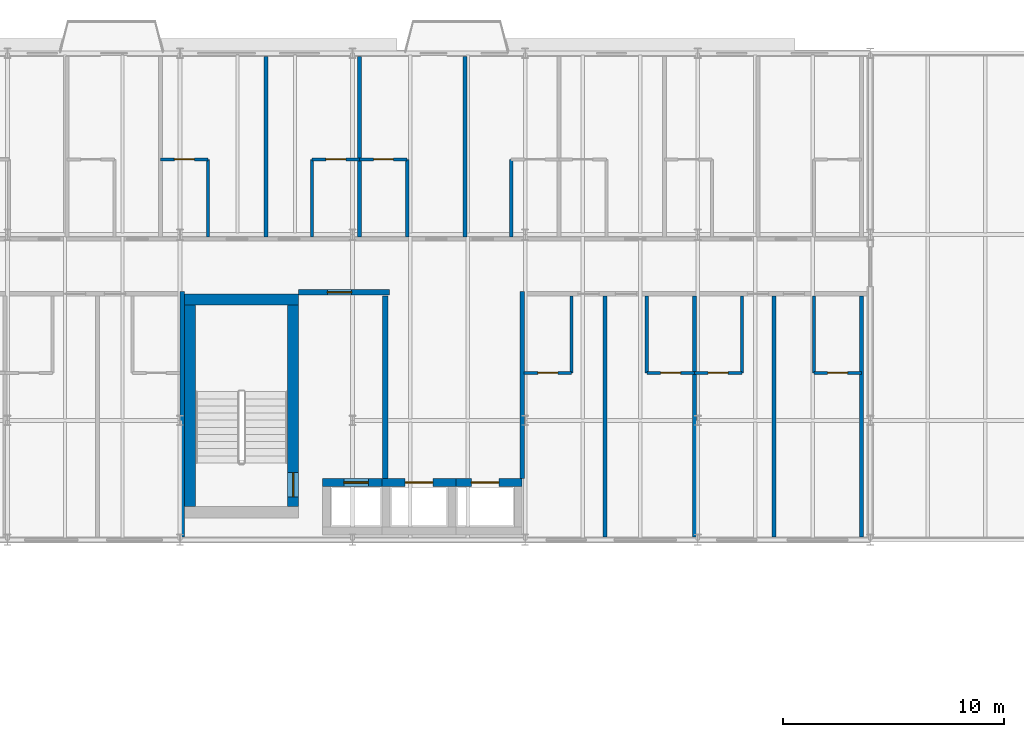
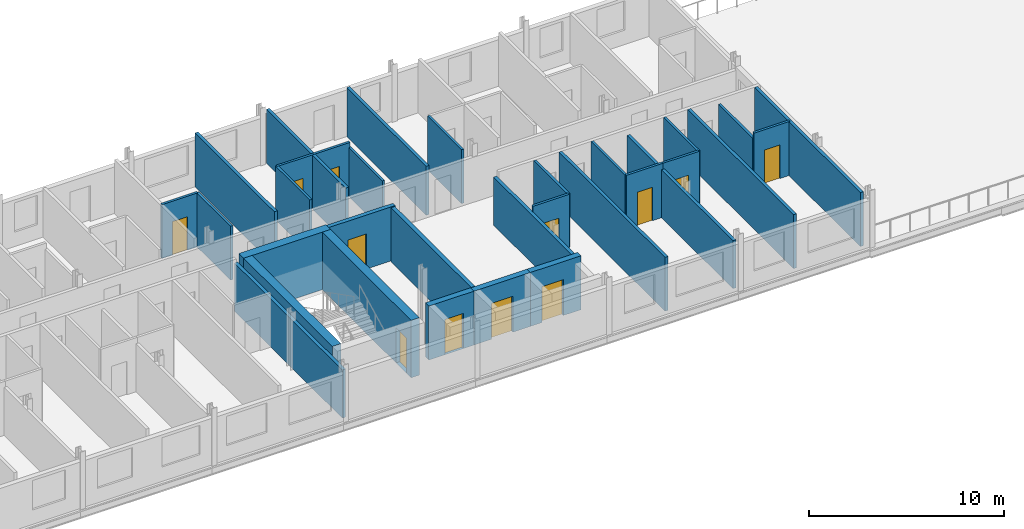
# One storey, part 24 of 30: 32 walls, 12 doors, 12 openings.
"""IFC4 building model written with IfcOpenShell, lengths in metres."""

from ifc_helpers import new_model, si_unit, direction, frame, frame_2d, origin, place, context, subcontext, project, spatial, rectangle, extrude, material, layer, layer_set, type_object, element, fill, save


model = new_model("IFC4")

# Units and contexts
model_context = context("Model", 3, precision=1e-05, world=origin(), true_north=direction((0.0, 1.0)))
body_context = subcontext(model_context, "Body", "Model", "MODEL_VIEW")
ifc_project = project(units=[si_unit("LENGTHUNIT", "METRE"), si_unit("AREAUNIT", "SQUARE_METRE"), si_unit("VOLUMEUNIT", "CUBIC_METRE"), si_unit("PLANEANGLEUNIT", "RADIAN"), si_unit("MASSUNIT", "GRAM", prefix="KILO")], contexts=[model_context])

# Site, building, storey
site_placement = place(None, origin())
site = spatial("IfcSite", under=ifc_project, at=site_placement, CompositionType="ELEMENT")
building_placement = place(site_placement, origin())
building = spatial("IfcBuilding", under=site, at=building_placement, Name="Sefraquen Railside Congress Hotel", CompositionType="ELEMENT")
storey_placement = place(building_placement, frame((0.0, 0.0, 35.39990234375)))
storey = spatial("IfcBuildingStorey", under=building, at=storey_placement, Name="L08", CompositionType="ELEMENT", Elevation=35.39990234375)

# Wall, opening, door
ifc_material_1 = material(Name="Concrete C50/60", Category="concrete")
ifc_layer_1 = layer(ifc_material_1, 0.35009765625)
ifc_layer_set_1 = layer_set([ifc_layer_1], Name="Concrete C50/60")
wall_type_1 = type_object("IfcWallType", Name="TW-CW-350", PredefinedType="SHEAR", material=ifc_layer_set_1)
wall_1_placement = place(storey_placement, frame((70.639892578125, 98.594970703125, 0.0), z_axis=(0.0, 0.0, 1.0), x_axis=(1.0, 0.0, 0.0)))
wall_1 = element("IfcWall", 1, at=wall_1_placement, inside=storey, type_object=wall_type_1, Name="Lift FL-03 shaft wall N L08", PredefinedType="SHEAR", context=body_context, shape_type="SweptSolid", body=[
    extrude(rectangle(XDim=2.690185546875, YDim=0.35009765625, at=frame_2d((1.34521484375, 0.0))), origin(), (0.0, 0.0, 1.0), 3.380126953125),
])
opening_1_placement = place(wall_1_placement, frame((0.969970703125, 0.0, 0.0)))
opening_1 = element("IfcOpeningElement", 2, at=opening_1_placement, cuts=wall_1, Name="Opening LD-01", PredefinedType="OPENING", context=body_context, shape_type="SweptSolid", body=[
    extrude(rectangle(XDim=1.10009765625, YDim=2.199951171875, at=frame_2d((0.550048828125, 1.10009765625))), frame((0.0, 0.18505859375, 0.0), z_axis=(0.0, -1.0, 0.0), x_axis=(1.0, 0.0, 0.0)), (0.0, 0.0, 1.0), 0.3701171875),
])
ifc_material_2 = material(Name="Brushed bronze stainless steel", Category="steel")
door_type_1 = type_object("IfcDoorType", Name="TD-LD-01", OperationType="NOTDEFINED", PredefinedType="DOOR", material=ifc_material_2)
door_1_placement = place(opening_1_placement, origin())
door_1 = element("IfcDoor", 3, at=door_1_placement, inside=storey, type_object=door_type_1, Name="Lift landing door FL-03 L08", OperationType="SLIDING_TO_LEFT", OverallHeight=2.199951171875, OverallWidth=1.10009765625, PredefinedType="DOOR", context=body_context, shape_type="SweptSolid", body=[
    extrude(rectangle(XDim=1.10009765625, YDim=2.199951171875, at=frame_2d((0.550048828125, 1.10009765625))), frame((0.0, 0.02490234375, 0.0), z_axis=(0.0, -1.0, 0.0), x_axis=(1.0, 0.0, 0.0)), (0.0, 0.0, 1.0), 0.050048828125),
])
fill(opening_1, door_1)

wall_2_placement = place(storey_placement, frame((73.330078125, 98.594970703125, 0.0), z_axis=(0.0, 0.0, 1.0), x_axis=(1.0, 0.0, 0.0)))
wall_2 = element("IfcWall", 4, at=wall_2_placement, inside=storey, type_object=wall_type_1, Name="Lift PL-05 shaft wall N L08", PredefinedType="SHEAR", context=body_context, shape_type="SweptSolid", body=[
    extrude(rectangle(XDim=3.33984375, YDim=0.35009765625, at=frame_2d((1.669921875, 0.0))), origin(), (0.0, 0.0, 1.0), 3.380126953125),
])
opening_2_placement = place(wall_2_placement, frame((1.044921875, 0.0, 0.0)))
opening_2 = element("IfcOpeningElement", 5, at=opening_2_placement, cuts=wall_2, Name="Opening LD-02", PredefinedType="OPENING", context=body_context, shape_type="SweptSolid", body=[
    extrude(rectangle(XDim=1.25, YDim=2.25, at=frame_2d((0.625, 1.125))), frame((0.0, 0.18505859375, 0.0), z_axis=(0.0, -1.0, 0.0), x_axis=(1.0, 0.0, 0.0)), (0.0, 0.0, 1.0), 0.3701171875),
])
ifc_material_3 = material(Name="Brushed stainless steel", Category="steel")
door_type_2 = type_object("IfcDoorType", Name="TD-LD-02", OperationType="NOTDEFINED", PredefinedType="DOOR", material=ifc_material_3)
door_2_placement = place(opening_2_placement, origin())
door_2 = element("IfcDoor", 6, at=door_2_placement, inside=storey, type_object=door_type_2, Name="Lift landing door PL-05 L08", OperationType="SLIDING_TO_LEFT", OverallHeight=2.25, OverallWidth=1.25, PredefinedType="DOOR", context=body_context, shape_type="SweptSolid", body=[
    extrude(rectangle(XDim=1.25, YDim=2.25, at=frame_2d((0.625, 1.125))), frame((0.0, 0.02490234375, 0.0), z_axis=(0.0, -1.0, 0.0), x_axis=(1.0, 0.0, 0.0)), (0.0, 0.0, 1.0), 0.050048828125),
])
fill(opening_2, door_2)

wall_3_placement = place(storey_placement, frame((76.669921875, 98.594970703125, 0.0), z_axis=(0.0, 0.0, 1.0), x_axis=(1.0, 0.0, 0.0)))
wall_3 = element("IfcWall", 7, at=wall_3_placement, inside=storey, type_object=wall_type_1, Name="Lift PL-06 shaft wall N L08", PredefinedType="SHEAR", context=body_context, shape_type="SweptSolid", body=[
    extrude(rectangle(XDim=2.989990234375, YDim=0.35009765625, at=frame_2d((1.4951171875, 0.0))), origin(), (0.0, 0.0, 1.0), 3.380126953125),
])
opening_3_placement = place(wall_3_placement, frame((0.695068359375, 0.0, 0.0)))
opening_3 = element("IfcOpeningElement", 8, at=opening_3_placement, cuts=wall_3, Name="Opening LD-02", PredefinedType="OPENING", context=body_context, shape_type="SweptSolid", body=[
    extrude(rectangle(XDim=1.25, YDim=2.25, at=frame_2d((0.625, 1.125))), frame((0.0, 0.18505859375, 0.0), z_axis=(0.0, -1.0, 0.0), x_axis=(1.0, 0.0, 0.0)), (0.0, 0.0, 1.0), 0.3701171875),
])
door_3_placement = place(opening_3_placement, origin())
door_3 = element("IfcDoor", 9, at=door_3_placement, inside=storey, type_object=door_type_2, Name="Lift landing door PL-06 L08", OperationType="SLIDING_TO_LEFT", OverallHeight=2.25, OverallWidth=1.25, PredefinedType="DOOR", context=body_context, shape_type="SweptSolid", body=[
    extrude(rectangle(XDim=1.25, YDim=2.25, at=frame_2d((0.625, 1.125))), frame((0.0, 0.02490234375, 0.0), z_axis=(0.0, -1.0, 0.0), x_axis=(1.0, 0.0, 0.0)), (0.0, 0.0, 1.0), 0.050048828125),
])
fill(opening_3, door_3)

# Walls
ifc_layer_2 = layer(ifc_material_1, 0.5)
ifc_layer_set_2 = layer_set([ifc_layer_2], Name="Concrete C50/60")
wall_type_2 = type_object("IfcWallType", Name="TW-CW-500", PredefinedType="SHEAR", material=ifc_layer_set_2)
wall_4_placement = place(storey_placement, frame((64.39990234375, 106.862060546875, 0.0), z_axis=(0.0, 0.0, 1.0), x_axis=(1.0, 0.0, 0.0)))
element("IfcWall", 10, at=wall_4_placement, inside=storey, type_object=wall_type_2, Name="Core shear wall ST-H03 N L08", PredefinedType="SHEAR", context=body_context, shape_type="SweptSolid", body=[
    extrude(rectangle(XDim=5.16015625, YDim=0.5, at=frame_2d((2.580078125, 0.0))), origin(), (0.0, 0.0, 1.0), 3.60009765625),
])
wall_5_placement = place(storey_placement, frame((64.64990234375, 97.5, 0.0), z_axis=(0.0, 0.0, 1.0), x_axis=(0.0, 1.0, 0.0)))
element("IfcWall", 11, at=wall_5_placement, inside=storey, type_object=wall_type_2, Name="Core shear wall ST-H03 W L08", PredefinedType="SHEAR", context=body_context, shape_type="SweptSolid", body=[
    extrude(rectangle(XDim=9.112060546875, YDim=0.5, at=frame_2d((4.55615234375, 0.0))), origin(), (0.0, 0.0, 1.0), 3.60009765625),
])

# Wall, opening, door
wall_6_placement = place(storey_placement, frame((69.31005859375, 97.5, 0.0), z_axis=(0.0, 0.0, 1.0), x_axis=(0.0, 1.0, 0.0)))
wall_6 = element("IfcWall", 12, at=wall_6_placement, inside=storey, type_object=wall_type_2, Name="Core shear wall ST-H03 E L08", PredefinedType="SHEAR", context=body_context, shape_type="SweptSolid", body=[
    extrude(rectangle(XDim=9.112060546875, YDim=0.5, at=frame_2d((4.55615234375, 0.0))), origin(), (0.0, 0.0, 1.0), 3.60009765625),
])
opening_4_placement = place(wall_6_placement, frame((0.43994140625, 0.0, 0.0)))
opening_4 = element("IfcOpeningElement", 13, at=opening_4_placement, cuts=wall_6, Name="Opening FD-04", PredefinedType="OPENING", context=body_context, shape_type="SweptSolid", body=[
    extrude(rectangle(XDim=1.10009765625, YDim=2.199951171875, at=frame_2d((0.550048828125, 1.10009765625))), frame((0.0, 0.260009765625, 0.0), z_axis=(0.0, -1.0, 0.0), x_axis=(1.0, 0.0, 0.0)), (0.0, 0.0, 1.0), 0.52001953125),
])
ifc_material_4 = material(Name="Fire-rated steel", Category="steel")
door_type_3 = type_object("IfcDoorType", Name="TD-FD-04", OperationType="NOTDEFINED", PredefinedType="DOOR", material=ifc_material_4)
door_4_placement = place(opening_4_placement, origin())
door_4 = element("IfcDoor", 14, at=door_4_placement, inside=storey, type_object=door_type_3, Name="Pressurized stair ST-H03 fire door L08", OperationType="SINGLE_SWING_RIGHT", OverallHeight=2.199951171875, OverallWidth=1.10009765625, PredefinedType="DOOR", context=body_context, shape_type="SweptSolid", body=[
    extrude(rectangle(XDim=1.10009765625, YDim=2.199951171875, at=frame_2d((0.550048828125, 1.10009765625))), frame((0.0, 0.02490234375, 0.0), z_axis=(0.0, -1.0, 0.0), x_axis=(1.0, 0.0, 0.0)), (0.0, 0.0, 1.0), 0.050048828125),
])
fill(opening_4, door_4)

# Wall
ifc_material_5 = material(Name="Concrete C40/50", Category="concrete")
ifc_layer_3 = layer(ifc_material_5, 0.239990234375)
ifc_layer_set_3 = layer_set([ifc_layer_3], Name="Concrete C40/50")
wall_type_3 = type_object("IfcWallType", Name="TW-FW-240", PredefinedType="STANDARD", material=ifc_layer_set_3)
wall_7_placement = place(storey_placement, frame((73.47998046875, 98.780029296875, 0.0), z_axis=(0.0, 0.0, 1.0), x_axis=(0.0, 1.0, 0.0)))
element("IfcWall", 15, at=wall_7_placement, inside=storey, type_object=wall_type_3, Name="Firefighting Lift Lobby FFL-03 east fire wall L08", PredefinedType="STANDARD", context=body_context, shape_type="SweptSolid", body=[
    extrude(rectangle(XDim=8.239990234375, YDim=0.239990234375, at=frame_2d((4.1201171875, 0.0))), origin(), (0.0, 0.0, 1.0), 3.380126953125),
])

# Wall, opening, door
wall_8_placement = place(storey_placement, frame((69.56005859375, 107.199951171875, 0.0), z_axis=(0.0, 0.0, 1.0), x_axis=(1.0, 0.0, 0.0)))
wall_8 = element("IfcWall", 16, at=wall_8_placement, inside=storey, type_object=wall_type_3, Name="Firefighting Lift Lobby FFL-03 EI 120 separation wall L08", PredefinedType="STANDARD", context=body_context, shape_type="SweptSolid", body=[
    extrude(rectangle(XDim=4.099853515625, YDim=0.239990234375, at=frame_2d((2.0498046875, 0.0))), origin(), (0.0, 0.0, 1.0), 3.380126953125),
])
opening_5_placement = place(wall_8_placement, frame((1.300048828125, 0.0, 0.0)))
opening_5 = element("IfcOpeningElement", 17, at=opening_5_placement, cuts=wall_8, Name="Opening FD-04", PredefinedType="OPENING", context=body_context, shape_type="SweptSolid", body=[
    extrude(rectangle(XDim=1.10009765625, YDim=2.199951171875, at=frame_2d((0.550048828125, 1.10009765625))), frame((0.0, 0.1298828125, 0.0), z_axis=(0.0, -1.0, 0.0), x_axis=(1.0, 0.0, 0.0)), (0.0, 0.0, 1.0), 0.260009765625),
])
door_5_placement = place(opening_5_placement, origin())
door_5 = element("IfcDoor", 18, at=door_5_placement, inside=storey, type_object=door_type_3, Name="Firefighting Lift Lobby FFL-03 self-closing fire door L08", OperationType="SINGLE_SWING_RIGHT", OverallHeight=2.199951171875, OverallWidth=1.10009765625, PredefinedType="DOOR", context=body_context, shape_type="SweptSolid", body=[
    extrude(rectangle(XDim=1.10009765625, YDim=2.199951171875, at=frame_2d((0.550048828125, 1.10009765625))), frame((0.0, 0.02490234375, 0.0), z_axis=(0.0, -1.0, 0.0), x_axis=(1.0, 0.0, 0.0)), (0.0, 0.0, 1.0), 0.050048828125),
])
fill(opening_5, door_5)

# Wall
ifc_material_6 = material(Name="Moisture-resistant gypsum board", Category="gypsum")
ifc_layer_4 = layer(ifc_material_6, 0.139892578125)
ifc_layer_set_4 = layer_set([ifc_layer_4], Name="Moisture-resistant gypsum board")
wall_type_4 = type_object("IfcWallType", Name="TW-PW-140", PredefinedType="PARTITIONING", material=ifc_layer_set_4)
wall_9_placement = place(storey_placement, frame((65.469970703125, 109.699951171875, 0.0), z_axis=(0.0, 0.0, 1.0), x_axis=(0.0, 1.0, 0.0)))
element("IfcWall", 19, at=wall_9_placement, inside=storey, type_object=wall_type_4, Name="En-suite bathroom east wall RM-010", PredefinedType="PARTITIONING", context=body_context, shape_type="SweptSolid", body=[
    extrude(rectangle(XDim=3.5, YDim=0.139892578125, at=frame_2d((1.75, 0.0))), origin(), (0.0, 0.0, 1.0), 3.380126953125),
])

# Wall, opening, door
wall_10_placement = place(storey_placement, frame((63.320068359375, 113.199951171875, 0.0), z_axis=(0.0, 0.0, 1.0), x_axis=(1.0, 0.0, 0.0)))
wall_10 = element("IfcWall", 20, at=wall_10_placement, inside=storey, type_object=wall_type_4, Name="En-suite bathroom north wall RM-010", PredefinedType="PARTITIONING", context=body_context, shape_type="SweptSolid", body=[
    extrude(rectangle(XDim=2.14990234375, YDim=0.139892578125, at=frame_2d((1.074951171875, 0.0))), origin(), (0.0, 0.0, 1.0), 3.380126953125),
])
opening_6_placement = place(wall_10_placement, frame((0.625, 0.0, 0.0)))
opening_6 = element("IfcOpeningElement", 21, at=opening_6_placement, cuts=wall_10, Name="Opening ID-02", PredefinedType="OPENING", context=body_context, shape_type="SweptSolid", body=[
    extrude(rectangle(XDim=0.89990234375, YDim=2.10009765625, at=frame_2d((0.449951171875, 1.050048828125))), frame((0.0, 0.079833984375, 0.0), z_axis=(0.0, -1.0, 0.0), x_axis=(1.0, 0.0, 0.0)), (0.0, 0.0, 1.0), 0.159912109375),
])
ifc_material_7 = material(Name="Lacquered cedar joinery", Category="wood")
door_type_4 = type_object("IfcDoorType", Name="TD-ID-02", OperationType="NOTDEFINED", PredefinedType="DOOR", material=ifc_material_7)
door_6_placement = place(opening_6_placement, origin())
door_6 = element("IfcDoor", 22, at=door_6_placement, inside=storey, type_object=door_type_4, Name="En-suite bathroom door RM-010", OperationType="SINGLE_SWING_LEFT", OverallHeight=2.10009765625, OverallWidth=0.89990234375, PredefinedType="DOOR", context=body_context, shape_type="SweptSolid", body=[
    extrude(rectangle(XDim=0.89990234375, YDim=2.10009765625, at=frame_2d((0.449951171875, 1.050048828125))), frame((0.0, 0.02490234375, 0.0), z_axis=(0.0, -1.0, 0.0), x_axis=(1.0, 0.0, 0.0)), (0.0, 0.0, 1.0), 0.050048828125),
])
fill(opening_6, door_6)

# Wall
wall_11_placement = place(storey_placement, frame((70.169921875, 109.699951171875, 0.0), z_axis=(0.0, 0.0, 1.0), x_axis=(0.0, 1.0, 0.0)))
element("IfcWall", 23, at=wall_11_placement, inside=storey, type_object=wall_type_4, Name="En-suite bathroom west wall RM-011", PredefinedType="PARTITIONING", context=body_context, shape_type="SweptSolid", body=[
    extrude(rectangle(XDim=3.5, YDim=0.139892578125, at=frame_2d((1.75, 0.0))), origin(), (0.0, 0.0, 1.0), 3.380126953125),
])

# Wall, opening, door
wall_12_placement = place(storey_placement, frame((70.169921875, 113.199951171875, 0.0), z_axis=(0.0, 0.0, 1.0), x_axis=(1.0, 0.0, 0.0)))
wall_12 = element("IfcWall", 24, at=wall_12_placement, inside=storey, type_object=wall_type_4, Name="En-suite bathroom north wall RM-011", PredefinedType="PARTITIONING", context=body_context, shape_type="SweptSolid", body=[
    extrude(rectangle(XDim=2.150146484375, YDim=0.139892578125, at=frame_2d((1.0751953125, 0.0))), origin(), (0.0, 0.0, 1.0), 3.380126953125),
])
opening_7_placement = place(wall_12_placement, frame((0.625, 0.0, 0.0)))
opening_7 = element("IfcOpeningElement", 25, at=opening_7_placement, cuts=wall_12, Name="Opening ID-02", PredefinedType="OPENING", context=body_context, shape_type="SweptSolid", body=[
    extrude(rectangle(XDim=0.89990234375, YDim=2.10009765625, at=frame_2d((0.449951171875, 1.050048828125))), frame((0.0, 0.079833984375, 0.0), z_axis=(0.0, -1.0, 0.0), x_axis=(1.0, 0.0, 0.0)), (0.0, 0.0, 1.0), 0.159912109375),
])
door_7_placement = place(opening_7_placement, origin())
door_7 = element("IfcDoor", 26, at=door_7_placement, inside=storey, type_object=door_type_4, Name="En-suite bathroom door RM-011", OperationType="SINGLE_SWING_LEFT", OverallHeight=2.10009765625, OverallWidth=0.89990234375, PredefinedType="DOOR", context=body_context, shape_type="SweptSolid", body=[
    extrude(rectangle(XDim=0.89990234375, YDim=2.10009765625, at=frame_2d((0.449951171875, 1.050048828125))), frame((0.0, 0.02490234375, 0.0), z_axis=(0.0, -1.0, 0.0), x_axis=(1.0, 0.0, 0.0)), (0.0, 0.0, 1.0), 0.050048828125),
])
fill(opening_7, door_7)

# Wall
wall_13_placement = place(storey_placement, frame((74.469970703125, 109.699951171875, 0.0), z_axis=(0.0, 0.0, 1.0), x_axis=(0.0, 1.0, 0.0)))
element("IfcWall", 27, at=wall_13_placement, inside=storey, type_object=wall_type_4, Name="En-suite bathroom east wall RM-012", PredefinedType="PARTITIONING", context=body_context, shape_type="SweptSolid", body=[
    extrude(rectangle(XDim=3.5, YDim=0.139892578125, at=frame_2d((1.75, 0.0))), origin(), (0.0, 0.0, 1.0), 3.070068359375),
])

# Wall, opening, door
wall_14_placement = place(storey_placement, frame((72.320068359375, 113.199951171875, 0.0), z_axis=(0.0, 0.0, 1.0), x_axis=(1.0, 0.0, 0.0)))
wall_14 = element("IfcWall", 28, at=wall_14_placement, inside=storey, type_object=wall_type_4, Name="En-suite bathroom north wall RM-012", PredefinedType="PARTITIONING", context=body_context, shape_type="SweptSolid", body=[
    extrude(rectangle(XDim=2.14990234375, YDim=0.139892578125, at=frame_2d((1.074951171875, 0.0))), origin(), (0.0, 0.0, 1.0), 3.380126953125),
])
opening_8_placement = place(wall_14_placement, frame((0.625, 0.0, 0.0)))
opening_8 = element("IfcOpeningElement", 29, at=opening_8_placement, cuts=wall_14, Name="Opening ID-02", PredefinedType="OPENING", context=body_context, shape_type="SweptSolid", body=[
    extrude(rectangle(XDim=0.89990234375, YDim=2.10009765625, at=frame_2d((0.449951171875, 1.050048828125))), frame((0.0, 0.079833984375, 0.0), z_axis=(0.0, -1.0, 0.0), x_axis=(1.0, 0.0, 0.0)), (0.0, 0.0, 1.0), 0.159912109375),
])
door_8_placement = place(opening_8_placement, origin())
door_8 = element("IfcDoor", 30, at=door_8_placement, inside=storey, type_object=door_type_4, Name="En-suite bathroom door RM-012", OperationType="SINGLE_SWING_LEFT", OverallHeight=2.10009765625, OverallWidth=0.89990234375, PredefinedType="DOOR", context=body_context, shape_type="SweptSolid", body=[
    extrude(rectangle(XDim=0.89990234375, YDim=2.10009765625, at=frame_2d((0.449951171875, 1.050048828125))), frame((0.0, 0.02490234375, 0.0), z_axis=(0.0, -1.0, 0.0), x_axis=(1.0, 0.0, 0.0)), (0.0, 0.0, 1.0), 0.050048828125),
])
fill(opening_8, door_8)

# Walls
wall_15_placement = place(storey_placement, frame((79.169921875, 109.699951171875, 0.0), z_axis=(0.0, 0.0, 1.0), x_axis=(0.0, 1.0, 0.0)))
element("IfcWall", 31, at=wall_15_placement, inside=storey, type_object=wall_type_4, Name="En-suite bathroom west wall RM-013", PredefinedType="PARTITIONING", context=body_context, shape_type="SweptSolid", body=[
    extrude(rectangle(XDim=3.5, YDim=0.139892578125, at=frame_2d((1.75, 0.0))), origin(), (0.0, 0.0, 1.0), 3.380126953125),
])
wall_16_placement = place(storey_placement, frame((81.89990234375, 103.550048828125, 0.0), z_axis=(0.0, 0.0, 1.0), x_axis=(0.0, 1.0, 0.0)))
element("IfcWall", 32, at=wall_16_placement, inside=storey, type_object=wall_type_4, Name="En-suite bathroom east wall RM-023", PredefinedType="PARTITIONING", context=body_context, shape_type="SweptSolid", body=[
    extrude(rectangle(XDim=3.469970703125, YDim=0.139892578125, at=frame_2d((1.73486328125, 0.0))), origin(), (0.0, 0.0, 1.0), 3.380126953125),
])

# Wall, opening, door
wall_17_placement = place(storey_placement, frame((79.75, 103.550048828125, 0.0), z_axis=(0.0, 0.0, 1.0), x_axis=(1.0, 0.0, 0.0)))
wall_17 = element("IfcWall", 33, at=wall_17_placement, inside=storey, type_object=wall_type_4, Name="En-suite bathroom south wall RM-023", PredefinedType="PARTITIONING", context=body_context, shape_type="SweptSolid", body=[
    extrude(rectangle(XDim=2.14990234375, YDim=0.139892578125, at=frame_2d((1.074951171875, 0.0))), origin(), (0.0, 0.0, 1.0), 3.380126953125),
])
opening_9_placement = place(wall_17_placement, frame((0.625, 0.0, 0.0)))
opening_9 = element("IfcOpeningElement", 34, at=opening_9_placement, cuts=wall_17, Name="Opening ID-02", PredefinedType="OPENING", context=body_context, shape_type="SweptSolid", body=[
    extrude(rectangle(XDim=0.89990234375, YDim=2.10009765625, at=frame_2d((0.449951171875, 1.050048828125))), frame((0.0, 0.079833984375, 0.0), z_axis=(0.0, -1.0, 0.0), x_axis=(1.0, 0.0, 0.0)), (0.0, 0.0, 1.0), 0.159912109375),
])
door_9_placement = place(opening_9_placement, frame((0.89990234375, 0.0, 0.0), z_axis=(0.0, 0.0, 1.0), x_axis=(-1.0, 0.0, 0.0)))
door_9 = element("IfcDoor", 35, at=door_9_placement, inside=storey, type_object=door_type_4, Name="En-suite bathroom door RM-023", OperationType="SINGLE_SWING_LEFT", OverallHeight=2.10009765625, OverallWidth=0.89990234375, PredefinedType="DOOR", context=body_context, shape_type="SweptSolid", body=[
    extrude(rectangle(XDim=0.89990234375, YDim=2.10009765625, at=frame_2d((0.449951171875, 1.050048828125))), frame((0.0, 0.02490234375, 0.0), z_axis=(0.0, -1.0, 0.0), x_axis=(1.0, 0.0, 0.0)), (0.0, 0.0, 1.0), 0.050048828125),
])
fill(opening_9, door_9)

# Wall
wall_18_placement = place(storey_placement, frame((85.297119140625, 103.550048828125, 0.0), z_axis=(0.0, 0.0, 1.0), x_axis=(0.0, 1.0, 0.0)))
element("IfcWall", 36, at=wall_18_placement, inside=storey, type_object=wall_type_4, Name="En-suite bathroom west wall RM-024", PredefinedType="PARTITIONING", context=body_context, shape_type="SweptSolid", body=[
    extrude(rectangle(XDim=3.469970703125, YDim=0.139892578125, at=frame_2d((1.73486328125, 0.0))), origin(), (0.0, 0.0, 1.0), 3.380126953125),
])

# Wall, opening, door
wall_19_placement = place(storey_placement, frame((85.297119140625, 103.550048828125, 0.0), z_axis=(0.0, 0.0, 1.0), x_axis=(1.0, 0.0, 0.0)))
wall_19 = element("IfcWall", 37, at=wall_19_placement, inside=storey, type_object=wall_type_4, Name="En-suite bathroom south wall RM-024", PredefinedType="PARTITIONING", context=body_context, shape_type="SweptSolid", body=[
    extrude(rectangle(XDim=2.14990234375, YDim=0.139892578125, at=frame_2d((1.074951171875, 0.0))), origin(), (0.0, 0.0, 1.0), 3.380126953125),
])
opening_10_placement = place(wall_19_placement, frame((0.625, 0.0, 0.0)))
opening_10 = element("IfcOpeningElement", 38, at=opening_10_placement, cuts=wall_19, Name="Opening ID-02", PredefinedType="OPENING", context=body_context, shape_type="SweptSolid", body=[
    extrude(rectangle(XDim=0.89990234375, YDim=2.10009765625, at=frame_2d((0.449951171875, 1.050048828125))), frame((0.0, 0.079833984375, 0.0), z_axis=(0.0, -1.0, 0.0), x_axis=(1.0, 0.0, 0.0)), (0.0, 0.0, 1.0), 0.159912109375),
])
door_10_placement = place(opening_10_placement, frame((0.89990234375, 0.0, 0.0), z_axis=(0.0, 0.0, 1.0), x_axis=(-1.0, 0.0, 0.0)))
door_10 = element("IfcDoor", 39, at=door_10_placement, inside=storey, type_object=door_type_4, Name="En-suite bathroom door RM-024", OperationType="SINGLE_SWING_LEFT", OverallHeight=2.10009765625, OverallWidth=0.89990234375, PredefinedType="DOOR", context=body_context, shape_type="SweptSolid", body=[
    extrude(rectangle(XDim=0.89990234375, YDim=2.10009765625, at=frame_2d((0.449951171875, 1.050048828125))), frame((0.0, 0.02490234375, 0.0), z_axis=(0.0, -1.0, 0.0), x_axis=(1.0, 0.0, 0.0)), (0.0, 0.0, 1.0), 0.050048828125),
])
fill(opening_10, door_10)

# Wall
wall_20_placement = place(storey_placement, frame((89.596923828125, 103.550048828125, 0.0), z_axis=(0.0, 0.0, 1.0), x_axis=(0.0, 1.0, 0.0)))
element("IfcWall", 40, at=wall_20_placement, inside=storey, type_object=wall_type_4, Name="En-suite bathroom east wall RM-025", PredefinedType="PARTITIONING", context=body_context, shape_type="SweptSolid", body=[
    extrude(rectangle(XDim=3.469970703125, YDim=0.139892578125, at=frame_2d((1.73486328125, 0.0))), origin(), (0.0, 0.0, 1.0), 3.380126953125),
])

# Wall, opening, door
wall_21_placement = place(storey_placement, frame((87.447021484375, 103.550048828125, 0.0), z_axis=(0.0, 0.0, 1.0), x_axis=(1.0, 0.0, 0.0)))
wall_21 = element("IfcWall", 41, at=wall_21_placement, inside=storey, type_object=wall_type_4, Name="En-suite bathroom south wall RM-025", PredefinedType="PARTITIONING", context=body_context, shape_type="SweptSolid", body=[
    extrude(rectangle(XDim=2.14990234375, YDim=0.139892578125, at=frame_2d((1.074951171875, 0.0))), origin(), (0.0, 0.0, 1.0), 3.380126953125),
])
opening_11_placement = place(wall_21_placement, frame((0.625, 0.0, 0.0)))
opening_11 = element("IfcOpeningElement", 42, at=opening_11_placement, cuts=wall_21, Name="Opening ID-02", PredefinedType="OPENING", context=body_context, shape_type="SweptSolid", body=[
    extrude(rectangle(XDim=0.89990234375, YDim=2.10009765625, at=frame_2d((0.449951171875, 1.050048828125))), frame((0.0, 0.079833984375, 0.0), z_axis=(0.0, -1.0, 0.0), x_axis=(1.0, 0.0, 0.0)), (0.0, 0.0, 1.0), 0.159912109375),
])
door_11_placement = place(opening_11_placement, frame((0.89990234375, 0.0, 0.0), z_axis=(0.0, 0.0, 1.0), x_axis=(-1.0, 0.0, 0.0)))
door_11 = element("IfcDoor", 43, at=door_11_placement, inside=storey, type_object=door_type_4, Name="En-suite bathroom door RM-025", OperationType="SINGLE_SWING_LEFT", OverallHeight=2.10009765625, OverallWidth=0.89990234375, PredefinedType="DOOR", context=body_context, shape_type="SweptSolid", body=[
    extrude(rectangle(XDim=0.89990234375, YDim=2.10009765625, at=frame_2d((0.449951171875, 1.050048828125))), frame((0.0, 0.02490234375, 0.0), z_axis=(0.0, -1.0, 0.0), x_axis=(1.0, 0.0, 0.0)), (0.0, 0.0, 1.0), 0.050048828125),
])
fill(opening_11, door_11)

# Wall
wall_22_placement = place(storey_placement, frame((92.85009765625, 103.550048828125, 0.0), z_axis=(0.0, 0.0, 1.0), x_axis=(0.0, 1.0, 0.0)))
element("IfcWall", 44, at=wall_22_placement, inside=storey, type_object=wall_type_4, Name="En-suite bathroom west wall RM-026", PredefinedType="PARTITIONING", context=body_context, shape_type="SweptSolid", body=[
    extrude(rectangle(XDim=3.469970703125, YDim=0.139892578125, at=frame_2d((1.73486328125, 0.0))), origin(), (0.0, 0.0, 1.0), 3.070068359375),
])

# Wall, opening, door
wall_23_placement = place(storey_placement, frame((92.85009765625, 103.550048828125, 0.0), z_axis=(0.0, 0.0, 1.0), x_axis=(1.0, 0.0, 0.0)))
wall_23 = element("IfcWall", 45, at=wall_23_placement, inside=storey, type_object=wall_type_4, Name="En-suite bathroom south wall RM-026", PredefinedType="PARTITIONING", context=body_context, shape_type="SweptSolid", body=[
    extrude(rectangle(XDim=2.14990234375, YDim=0.139892578125, at=frame_2d((1.074951171875, 0.0))), origin(), (0.0, 0.0, 1.0), 3.380126953125),
])
opening_12_placement = place(wall_23_placement, frame((0.625, 0.0, 0.0)))
opening_12 = element("IfcOpeningElement", 46, at=opening_12_placement, cuts=wall_23, Name="Opening ID-02", PredefinedType="OPENING", context=body_context, shape_type="SweptSolid", body=[
    extrude(rectangle(XDim=0.89990234375, YDim=2.10009765625, at=frame_2d((0.449951171875, 1.050048828125))), frame((0.0, 0.079833984375, 0.0), z_axis=(0.0, -1.0, 0.0), x_axis=(1.0, 0.0, 0.0)), (0.0, 0.0, 1.0), 0.159912109375),
])
door_12_placement = place(opening_12_placement, frame((0.89990234375, 0.0, 0.0), z_axis=(0.0, 0.0, 1.0), x_axis=(-1.0, 0.0, 0.0)))
door_12 = element("IfcDoor", 47, at=door_12_placement, inside=storey, type_object=door_type_4, Name="En-suite bathroom door RM-026", OperationType="SINGLE_SWING_LEFT", OverallHeight=2.10009765625, OverallWidth=0.89990234375, PredefinedType="DOOR", context=body_context, shape_type="SweptSolid", body=[
    extrude(rectangle(XDim=0.89990234375, YDim=2.10009765625, at=frame_2d((0.449951171875, 1.050048828125))), frame((0.0, 0.02490234375, 0.0), z_axis=(0.0, -1.0, 0.0), x_axis=(1.0, 0.0, 0.0)), (0.0, 0.0, 1.0), 0.050048828125),
])
fill(opening_12, door_12)

# Walls
ifc_material_8 = material(Name="Acoustic gypsum board on metal stud", Category="gypsum")
ifc_layer_5 = layer(ifc_material_8, 0.179931640625)
ifc_layer_set_5 = layer_set([ifc_layer_5], Name="Acoustic gypsum board on metal stud")
wall_type_5 = type_object("IfcWallType", Name="TW-PW-180", PredefinedType="PARTITIONING", material=ifc_layer_set_5)
for number, where, z_axis, x_axis, name in (
    (48, (68.090087890625, 109.699951171875, 0.0), (0.0, 0.0, 1.0), (0.0, 1.0, 0.0), "Guest room demising wall RM-010"),
    (49, (72.320068359375, 109.699951171875, 0.0), (0.0, 0.0, 1.0), (0.0, 1.0, 0.0), "Guest room demising wall RM-011"),
):
    element("IfcWall", number, at=place(storey_placement, frame(where, z_axis=z_axis, x_axis=x_axis)), inside=storey, type_object=wall_type_5, Name=name, PredefinedType="PARTITIONING", context=body_context, shape_type="SweptSolid", body=[
        extrude(rectangle(XDim=8.150146484375, YDim=0.179931640625, at=frame_2d((4.0751953125, 0.0))), origin(), (0.0, 0.0, 1.0), 3.380126953125),
    ])
wall_24_placement = place(storey_placement, frame((77.090087890625, 109.699951171875, 0.0), z_axis=(0.0, 0.0, 1.0), x_axis=(0.0, 1.0, 0.0)))
element("IfcWall", 50, at=wall_24_placement, inside=storey, type_object=wall_type_5, Name="Guest room demising wall RM-012", PredefinedType="PARTITIONING", context=body_context, shape_type="SweptSolid", body=[
    extrude(rectangle(XDim=8.150146484375, YDim=0.179931640625, at=frame_2d((4.0751953125, 0.0))), origin(), (0.0, 0.0, 1.0), 3.070068359375),
])
wall_25_placement = place(storey_placement, frame((83.41796875, 96.139892578125, 0.0), z_axis=(0.0, 0.0, 1.0), x_axis=(0.0, 1.0, 0.0)))
element("IfcWall", 51, at=wall_25_placement, inside=storey, type_object=wall_type_5, Name="South guest room demising wall RM-023", PredefinedType="PARTITIONING", context=body_context, shape_type="SweptSolid", body=[
    extrude(rectangle(XDim=10.880126953125, YDim=0.179931640625, at=frame_2d((5.43994140625, 0.0))), origin(), (0.0, 0.0, 1.0), 3.380126953125),
])
wall_26_placement = place(storey_placement, frame((87.447021484375, 96.139892578125, 0.0), z_axis=(0.0, 0.0, 1.0), x_axis=(0.0, 1.0, 0.0)))
element("IfcWall", 52, at=wall_26_placement, inside=storey, type_object=wall_type_5, Name="South guest room demising wall RM-024", PredefinedType="PARTITIONING", context=body_context, shape_type="SweptSolid", body=[
    extrude(rectangle(XDim=10.880126953125, YDim=0.179931640625, at=frame_2d((5.43994140625, 0.0))), origin(), (0.0, 0.0, 1.0), 3.010009765625),
])
for number, where, z_axis, x_axis, name in (
    (53, (91.04296875, 96.139892578125, 0.0), (0.0, 0.0, 1.0), (0.0, 1.0, 0.0), "South guest room demising wall RM-025"),
    (54, (95.0, 96.139892578125, 0.0), (0.0, 0.0, 1.0), (0.0, 1.0, 0.0), "South guest room demising wall RM-026"),
):
    element("IfcWall", number, at=place(storey_placement, frame(where, z_axis=z_axis, x_axis=x_axis)), inside=storey, type_object=wall_type_5, Name=name, PredefinedType="PARTITIONING", context=body_context, shape_type="SweptSolid", body=[
        extrude(rectangle(XDim=10.880126953125, YDim=0.179931640625, at=frame_2d((5.43994140625, 0.0))), origin(), (0.0, 0.0, 1.0), 3.380126953125),
    ])
ifc_layer_6 = layer(ifc_material_8, 0.199951171875)
ifc_layer_set_6 = layer_set([ifc_layer_6], Name="Acoustic gypsum board on metal stud")
wall_type_6 = type_object("IfcWallType", Name="TW-PW-200", PredefinedType="PARTITIONING", material=ifc_layer_set_6)
wall_27_placement = place(storey_placement, frame((64.300048828125, 96.139892578125, 0.0), z_axis=(0.0, 0.0, 1.0), x_axis=(0.0, 1.0, 0.0)))
element("IfcWall", 55, at=wall_27_placement, inside=storey, type_object=wall_type_6, Name="Hotel L08 south-mid east end fire-rated partition", PredefinedType="PARTITIONING", context=body_context, shape_type="SweptSolid", body=[
    extrude(rectangle(XDim=11.080078125, YDim=0.199951171875, at=frame_2d((5.5400390625, 0.0))), origin(), (0.0, 0.0, 1.0), 3.010009765625),
])
wall_28_placement = place(storey_placement, frame((79.659912109375, 98.77001953125, 0.0), z_axis=(0.0, 0.0, 1.0), x_axis=(0.0, 1.0, 0.0)))
element("IfcWall", 56, at=wall_28_placement, inside=storey, type_object=wall_type_6, Name="Hotel L08 south-east west end fire-rated partition", PredefinedType="PARTITIONING", context=body_context, shape_type="SweptSolid", body=[
    extrude(rectangle(XDim=8.449951171875, YDim=0.199951171875, at=frame_2d((4.22509765625, 0.0))), origin(), (0.0, 0.0, 1.0), 3.010009765625),
])

save(model, "model.ifc")
